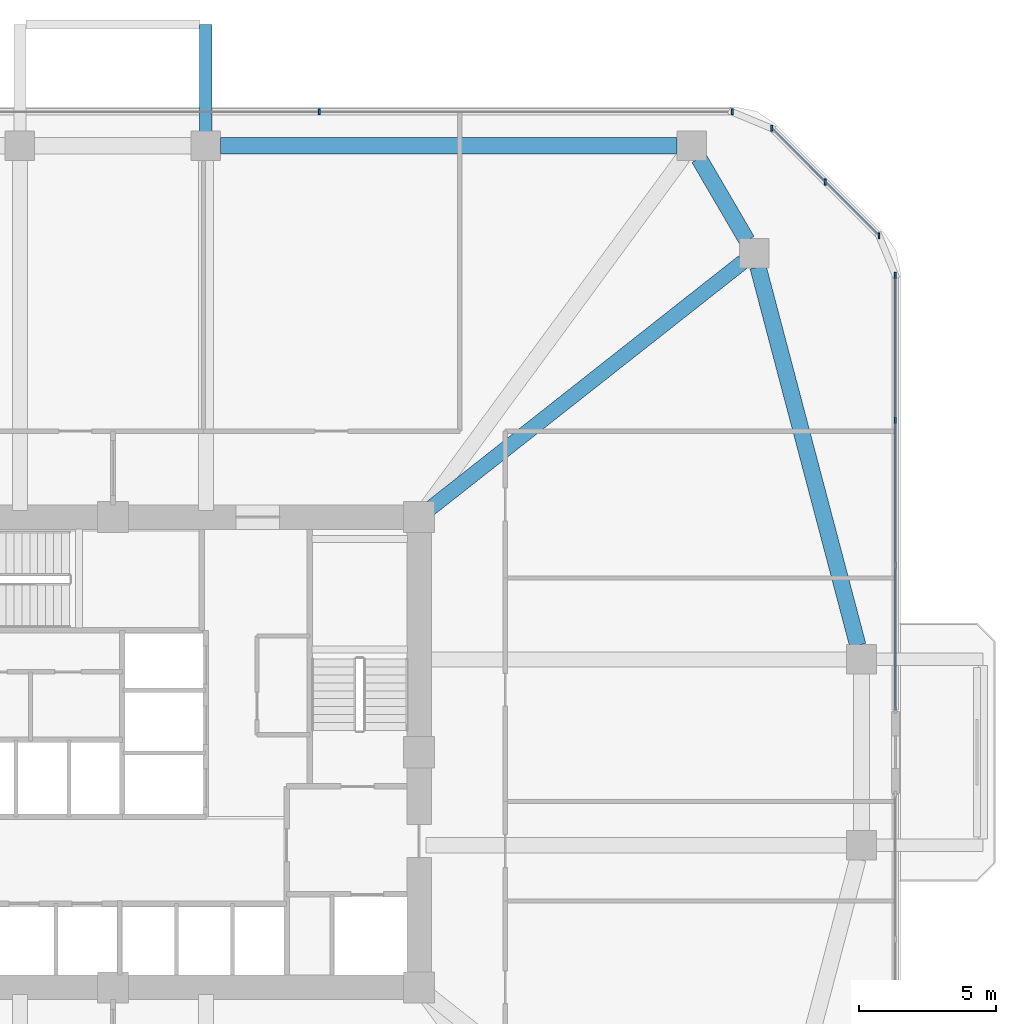
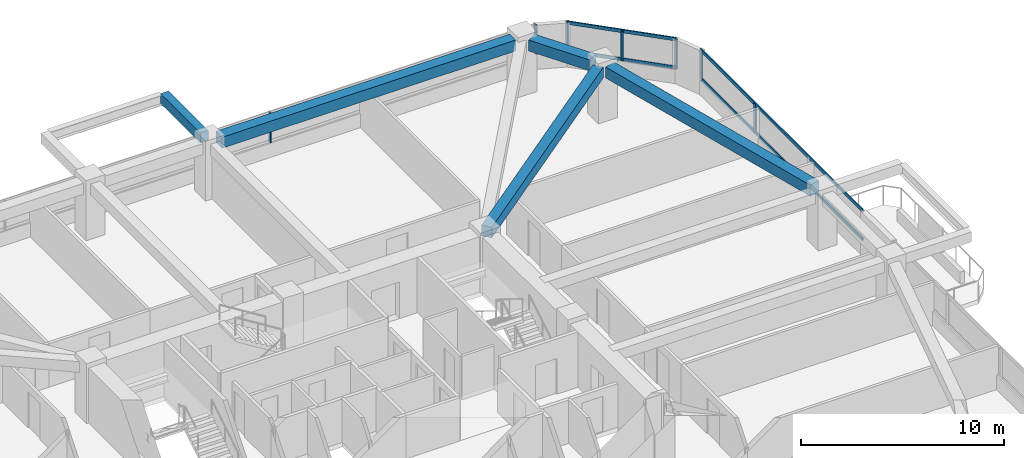
# One storey, part 8 of 15: 11 members, 5 beams, 3 elements without a shape of their own.
"""IFC4 building model written with IfcOpenShell, lengths in metres."""

from ifc_helpers import new_model, si_unit, derived_unit, direction, frame, origin, origin_2d, place, context, subcontext, project, spatial, rectangle, extrude, material, material_profile, profile_set, type_object, element, aggregate, save


model = new_model("IFC4")

# Units and contexts
model_context = context("Model", 3, precision=1e-05, world=origin(), true_north=direction((0.0, 1.0)))
body_context = subcontext(model_context, "Body", "Model", "MODEL_VIEW")
ifc_project = project(units=[si_unit("LENGTHUNIT", "METRE"), si_unit("AREAUNIT", "SQUARE_METRE"), si_unit("VOLUMEUNIT", "CUBIC_METRE"), si_unit("PLANEANGLEUNIT", "RADIAN"), si_unit("MASSUNIT", "GRAM", prefix="KILO"), derived_unit("THERMALTRANSMITTANCEUNIT", [(si_unit("POWERUNIT", "WATT"), 1), (si_unit("LENGTHUNIT", "METRE"), -2), (si_unit("THERMODYNAMICTEMPERATUREUNIT", "KELVIN"), -1)])], contexts=[model_context])

# Site, building, storey
site_placement = place(None, origin())
site = spatial("IfcSite", under=ifc_project, at=site_placement, CompositionType="ELEMENT")
building_placement = place(site_placement, origin())
building = spatial("IfcBuilding", under=site, at=building_placement, Name="Koralith Skygarden Medical Center", CompositionType="ELEMENT")
storey_placement = place(building_placement, frame((0.0, 0.0, 56.340087890625)))
storey = spatial("IfcBuildingStorey", under=building, at=storey_placement, Name="L14", CompositionType="ELEMENT", Elevation=56.340087890625)

# Curtain wall, members
ifc_material_1 = material(Name="Clear Laminated Glass", Category="glass")
curtain_wall_type = type_object("IfcCurtainWallType", Name="CW-2 Zone 1 Hurricane Unitised Curtain Wall", PredefinedType="NOTDEFINED", material=ifc_material_1)
curtain_wall_1_placement = place(storey_placement, origin())
curtain_wall_1 = element("IfcCurtainWall", 1, at=curtain_wall_1_placement, inside=storey, type_object=curtain_wall_type, Name="Curtain Wall CW-L14-E-R", PredefinedType="NOTDEFINED")
ifc_material_2 = material(Name="Aluminium 6063-T6", Category="aluminium")
ifc_material_profile_1 = material_profile(ifc_material_2, rectangle(XDim=0.071044921875, YDim=0.219970703125, at=origin_2d()), Name="MUL71X220")
ifc_profile_set_1 = profile_set([ifc_material_profile_1], Name="Aluminium 6063-T6")
member_type_1 = type_object("IfcMemberType", Name="CW-2 Extruded Mullion 71x220", PredefinedType="MULLION", material=ifc_profile_set_1)
member_1_placement = place(storey_placement, frame((65.6201171875, 38.04296875, 0.849853515625), z_axis=(0.0, 0.0, 1.0), x_axis=(1.0, 0.0, 0.0)))
member_1 = element("IfcMember", 2, at=member_1_placement, type_object=member_type_1, Name="CW-L14-E-R Mullion 3", PredefinedType="MULLION", context=body_context, shape_type="SweptSolid", body=[
    extrude(rectangle(XDim=0.071044921875, YDim=0.219970703125, at=origin_2d()), origin(), (0.0, 0.0, 1.0), 1.800048828125),
])
member_2_placement = place(storey_placement, frame((65.6201171875, 43.344970703125, 0.849853515625), z_axis=(0.0, 0.0, 1.0), x_axis=(1.0, 0.0, 0.0)))
member_2 = element("IfcMember", 3, at=member_2_placement, type_object=member_type_1, Name="CW-L14-E-R Mullion 4", PredefinedType="MULLION", context=body_context, shape_type="SweptSolid", body=[
    extrude(rectangle(XDim=0.071044921875, YDim=0.219970703125, at=origin_2d()), origin(), (0.0, 0.0, 1.0), 1.800048828125),
])

curtain_wall_2_placement = place(storey_placement, origin())
curtain_wall_2 = element("IfcCurtainWall", 4, at=curtain_wall_2_placement, inside=storey, type_object=curtain_wall_type, Name="Curtain Wall CW-L14-NE", PredefinedType="NOTDEFINED")
member_3_placement = place(storey_placement, frame((65.01904296875, 44.7958984375, 0.849853515625), z_axis=(0.0, 0.0, 1.0), x_axis=(1.0, 0.0, 0.0)))
member_3 = element("IfcMember", 5, at=member_3_placement, type_object=member_type_1, Name="CW-L14-NE Mullion 1", PredefinedType="MULLION", context=body_context, shape_type="SweptSolid", body=[
    extrude(rectangle(XDim=0.071044921875, YDim=0.219970703125, at=origin_2d()), origin(), (0.0, 0.0, 1.0), 1.800048828125),
])
member_4_placement = place(storey_placement, frame((63.05810546875, 46.758056640625, 0.849853515625), z_axis=(0.0, 0.0, 1.0), x_axis=(1.0, 0.0, 0.0)))
member_4 = element("IfcMember", 6, at=member_4_placement, type_object=member_type_1, Name="CW-L14-NE Mullion 2", PredefinedType="MULLION", context=body_context, shape_type="SweptSolid", body=[
    extrude(rectangle(XDim=0.071044921875, YDim=0.219970703125, at=origin_2d()), origin(), (0.0, 0.0, 1.0), 1.800048828125),
])
member_5_placement = place(storey_placement, frame((61.095947265625, 48.718994140625, 0.849853515625), z_axis=(0.0, 0.0, 1.0), x_axis=(1.0, 0.0, 0.0)))
member_5 = element("IfcMember", 7, at=member_5_placement, type_object=member_type_1, Name="CW-L14-NE Mullion 3", PredefinedType="MULLION", context=body_context, shape_type="SweptSolid", body=[
    extrude(rectangle(XDim=0.071044921875, YDim=0.219970703125, at=origin_2d()), origin(), (0.0, 0.0, 1.0), 1.800048828125),
])

curtain_wall_3_placement = place(storey_placement, origin())
curtain_wall_3 = element("IfcCurtainWall", 8, at=curtain_wall_3_placement, inside=storey, type_object=curtain_wall_type, Name="Curtain Wall CW-L14-N", PredefinedType="NOTDEFINED")
member_6_placement = place(storey_placement, frame((59.64501953125, 49.320068359375, 0.849853515625), z_axis=(0.0, 0.0, 1.0), x_axis=(1.0, 0.0, 0.0)))
member_6 = element("IfcMember", 9, at=member_6_placement, type_object=member_type_1, Name="CW-L14-N Mullion 1", PredefinedType="MULLION", context=body_context, shape_type="SweptSolid", body=[
    extrude(rectangle(XDim=0.071044921875, YDim=0.219970703125, at=origin_2d()), origin(), (0.0, 0.0, 1.0), 1.800048828125),
])
member_7_placement = place(storey_placement, frame((44.548095703125, 49.320068359375, 0.849853515625), z_axis=(0.0, 0.0, 1.0), x_axis=(1.0, 0.0, 0.0)))
member_7 = element("IfcMember", 10, at=member_7_placement, type_object=member_type_1, Name="CW-L14-N Mullion 2", PredefinedType="MULLION", context=body_context, shape_type="SweptSolid", body=[
    extrude(rectangle(XDim=0.071044921875, YDim=0.219970703125, at=origin_2d()), origin(), (0.0, 0.0, 1.0), 1.800048828125),
])
aggregate(curtain_wall_3, [member_6, member_7])

# Member
ifc_material_profile_2 = material_profile(ifc_material_2, rectangle(XDim=0.06591796875, YDim=0.197998046875, at=origin_2d()), Name="TRN66X198")
ifc_profile_set_2 = profile_set([ifc_material_profile_2], Name="Aluminium 6063-T6")
member_type_2 = type_object("IfcMemberType", Name="CW-2 Thermal Transom 66x198", PredefinedType="USERDEFINED", material=ifc_profile_set_2)
member_8_placement = place(storey_placement, frame((65.6201171875, 27.43994140625, 0.89990234375), z_axis=(0.0, 1.0, 0.0), x_axis=(-1.0, 0.0, 0.0)))
member_8 = element("IfcMember", 11, at=member_8_placement, type_object=member_type_2, Name="CW-L14-E-R Transom 1", ObjectType="TRANSOM", PredefinedType="USERDEFINED", context=body_context, shape_type="SweptSolid", body=[
    extrude(rectangle(XDim=0.06591796875, YDim=0.197998046875, at=origin_2d()), origin(), (0.0, 0.0, 1.0), 15.905029296875),
])

member_9_placement = place(storey_placement, frame((65.6201171875, 27.43994140625, 2.599853515625), z_axis=(0.0, 1.0, 0.0), x_axis=(-1.0, 0.0, 0.0)))
member_9 = element("IfcMember", 12, at=member_9_placement, type_object=member_type_2, Name="CW-L14-E-R Transom 2", ObjectType="TRANSOM", PredefinedType="USERDEFINED", context=body_context, shape_type="SweptSolid", body=[
    extrude(rectangle(XDim=0.06591796875, YDim=0.197998046875, at=origin_2d()), origin(), (0.0, 0.0, 1.0), 15.905029296875),
])

aggregate(curtain_wall_1, [member_1, member_2, member_8, member_9])

member_10_placement = place(storey_placement, frame((65.01904296875, 44.7958984375, 0.89990234375), z_axis=(-0.707106781187, 0.707106781187, 0.0), x_axis=(-0.707106781187, -0.707106781187, 0.0)))
member_10 = element("IfcMember", 13, at=member_10_placement, type_object=member_type_2, Name="CW-L14-NE Transom 1", ObjectType="TRANSOM", PredefinedType="USERDEFINED", context=body_context, shape_type="SweptSolid", body=[
    extrude(rectangle(XDim=0.06591796875, YDim=0.197998046875, at=origin_2d()), origin(), (0.0, 0.0, 1.0), 5.548095703125),
])

member_11_placement = place(storey_placement, frame((65.01904296875, 44.7958984375, 2.599853515625), z_axis=(-0.707106781187, 0.707106781187, 0.0), x_axis=(-0.707106781187, -0.707106781187, 0.0)))
member_11 = element("IfcMember", 14, at=member_11_placement, type_object=member_type_2, Name="CW-L14-NE Transom 2", ObjectType="TRANSOM", PredefinedType="USERDEFINED", context=body_context, shape_type="SweptSolid", body=[
    extrude(rectangle(XDim=0.06591796875, YDim=0.197998046875, at=origin_2d()), origin(), (0.0, 0.0, 1.0), 5.548095703125),
])

aggregate(curtain_wall_2, [member_3, member_4, member_5, member_10, member_11])

# Beams
ifc_material_3 = material(Name="Concrete C45/55", Category="concrete")
ifc_material_profile_3 = material_profile(ifc_material_3, rectangle(XDim=0.449951171875, YDim=0.60009765625, at=origin_2d()), Name="RCB450X600")
ifc_profile_set_3 = profile_set([ifc_material_profile_3], Name="Concrete C45/55")
beam_type_1 = type_object("IfcBeamType", Name="Planted Balcony Cantilever Beam RCB450X600", PredefinedType="BEAM", material=ifc_profile_set_3)
beam_1_placement = place(storey_placement, frame((40.39990234375, 48.60009765625, 3.039794921875), z_axis=(0.0, 1.0, 0.0), x_axis=(-1.0, 0.0, 0.0)))
element("IfcBeam", 15, at=beam_1_placement, inside=storey, type_object=beam_type_1, Name="L15 N Balcony Cantilever Beam B", PredefinedType="BEAM", context=body_context, shape_type="SweptSolid", body=[
    extrude(rectangle(XDim=0.449951171875, YDim=0.60009765625, at=origin_2d()), origin(), (0.0, 0.0, 1.0), 3.919921875),
])
ifc_material_profile_4 = material_profile(ifc_material_3, rectangle(XDim=0.550048828125, YDim=0.639892578125, at=origin_2d()), Name="RCB550X640")
ifc_profile_set_4 = profile_set([ifc_material_profile_4], Name="Concrete C45/55")
beam_type_2 = type_object("IfcBeamType", Name="Radial Collector Beam RCB550X640", PredefinedType="BEAM", material=ifc_profile_set_4)
beam_2_placement = place(storey_placement, frame((48.39599609375, 34.655029296875, 3.0), z_axis=(0.785497250365, 0.618865146594, 0.0), x_axis=(-0.618865146594, 0.785497250365, 0.0)))
element("IfcBeam", 16, at=beam_2_placement, inside=storey, type_object=beam_type_2, Name="L14 Radial Collector Beam RB-10", PredefinedType="BEAM", context=body_context, shape_type="SweptSolid", body=[
    extrude(rectangle(XDim=0.550048828125, YDim=0.639892578125, at=origin_2d()), origin(), (0.0, 0.0, 1.0), 14.828857421875),
])
ifc_material_profile_5 = material_profile(ifc_material_3, rectangle(XDim=0.60009765625, YDim=0.659912109375, at=origin_2d()), Name="RCB600X660")
ifc_profile_set_5 = profile_set([ifc_material_profile_5], Name="Concrete C45/55")
beam_type_3 = type_object("IfcBeamType", Name="Zone 1 Spandrel Beam RCB600X660", PredefinedType="SPANDREL", material=ifc_profile_set_5)
beam_3_placement = place(storey_placement, frame((64.2451171875, 29.81201171875, 2.989990234375), z_axis=(-0.255088684842, 0.966917660851, 0.0), x_axis=(-0.966917660851, -0.255088684842, 0.0)))
element("IfcBeam", 17, at=beam_3_placement, inside=storey, type_object=beam_type_3, Name="L14 Perimeter Spandrel Beam SP-09", PredefinedType="SPANDREL", context=body_context, shape_type="SweptSolid", body=[
    extrude(rectangle(XDim=0.60009765625, YDim=0.659912109375, at=origin_2d()), origin(), (0.0, 0.0, 1.0), 14.309326171875),
])
beam_4_placement = place(storey_placement, frame((60.19189453125, 44.617919921875, 2.989990234375), z_axis=(-0.504608092658, 0.863348523381, 0.0), x_axis=(-0.863348523381, -0.504608092658, 0.0)))
element("IfcBeam", 18, at=beam_4_placement, inside=storey, type_object=beam_type_3, Name="L14 Perimeter Spandrel Beam SP-10", PredefinedType="SPANDREL", context=body_context, shape_type="SweptSolid", body=[
    extrude(rectangle(XDim=0.60009765625, YDim=0.659912109375, at=origin_2d()), origin(), (0.0, 0.0, 1.0), 3.479736328125),
])
beam_5_placement = place(storey_placement, frame((57.637939453125, 48.080078125, 2.989990234375), z_axis=(-1.0, 0.0, 0.0), x_axis=(0.0, -1.0, 0.0)))
element("IfcBeam", 19, at=beam_5_placement, inside=storey, type_object=beam_type_3, Name="L14 Perimeter Spandrel Beam SP-11", PredefinedType="SPANDREL", context=body_context, shape_type="SweptSolid", body=[
    extrude(rectangle(XDim=0.60009765625, YDim=0.659912109375, at=origin_2d()), origin(), (0.0, 0.0, 1.0), 16.7080078125),
])

save(model, "model.ifc")
